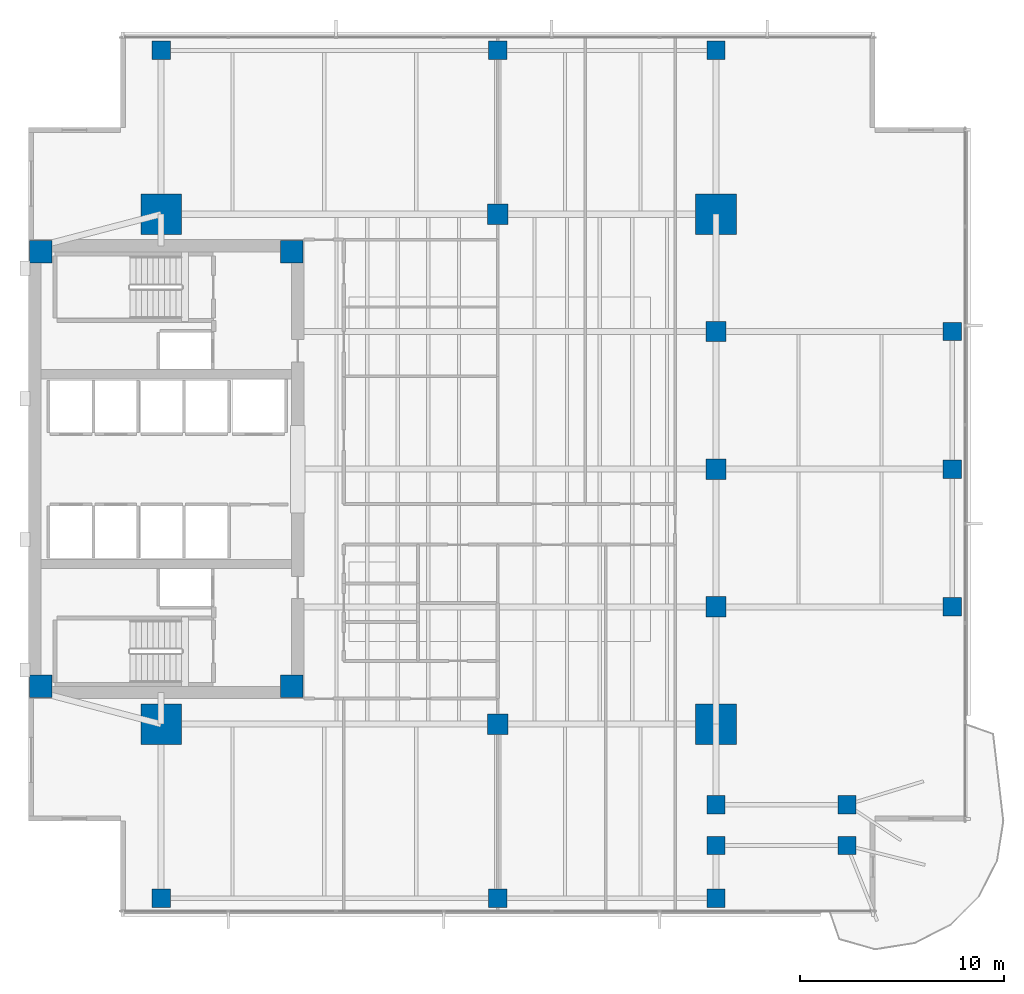
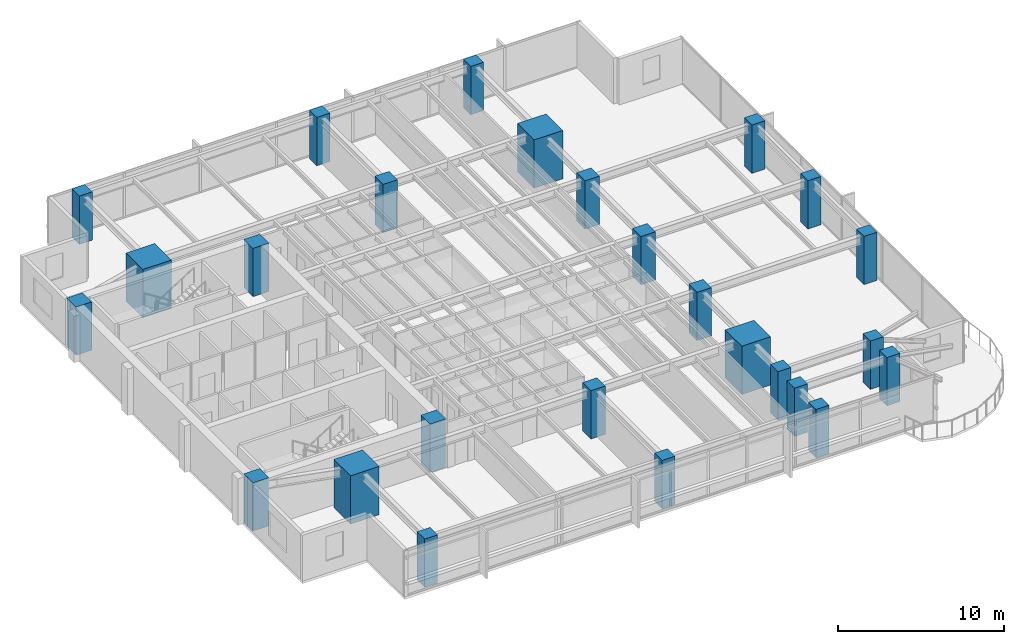
# One storey, part 1 of 14: 26 columns.
"""IFC4 building model written with IfcOpenShell, lengths in metres."""

from ifc_helpers import new_model, si_unit, direction, frame, origin, origin_2d, place, context, subcontext, project, spatial, rectangle, extrude, material, material_profile, profile_set, type_object, element, save


model = new_model("IFC4")

# Units and contexts
model_context = context("Model", 3, precision=1e-05, world=origin(), true_north=direction((0.0, 1.0)))
body_context = subcontext(model_context, "Body", "Model", "MODEL_VIEW")
ifc_project = project(units=[si_unit("LENGTHUNIT", "METRE"), si_unit("AREAUNIT", "SQUARE_METRE"), si_unit("VOLUMEUNIT", "CUBIC_METRE"), si_unit("PLANEANGLEUNIT", "RADIAN"), si_unit("MASSUNIT", "GRAM", prefix="KILO")], contexts=[model_context])

# Site, building, storey
site_placement = place(None, origin())
site = spatial("IfcSite", under=ifc_project, at=site_placement, CompositionType="ELEMENT")
building_placement = place(site_placement, origin())
building = spatial("IfcBuilding", under=site, at=building_placement, Name="Kinhvarn Gate Tower", CompositionType="ELEMENT")
storey_placement = place(building_placement, frame((0.0, 0.0, 130.64990234375)))
storey = spatial("IfcBuildingStorey", under=building, at=storey_placement, Name="L34", CompositionType="ELEMENT", Elevation=130.64990234375)

# Columns
ifc_material = material(Name="Concrete C60/75", Category="concrete")
ifc_material_profile_1 = material_profile(ifc_material, rectangle(XDim=2.0, YDim=2.0, at=origin_2d()), Name="RC 2000x2000")
ifc_profile_set_1 = profile_set([ifc_material_profile_1], Name="Concrete C60/75")
column_type_1 = type_object("IfcColumnType", Name="COL-MC-2000", PredefinedType="COLUMN", material=ifc_profile_set_1)
for number, where, z_axis, x_axis, name in (
    (1, (11.0, 12.75, 0.0), (0.0, 0.0, 1.0), (1.0, 0.0, 0.0), "Column MC1-L34 (MC-20)"),
    (2, (11.0, 37.75, 0.0), (0.0, 0.0, 1.0), (1.0, 0.0, 0.0), "Column MC4-L34 (MC-20)"),
    (3, (38.199951171875, 12.75, 0.0), (0.0, 0.0, 1.0), (1.0, 0.0, 0.0), "Column MC2-L34 (MC-20)"),
    (4, (38.199951171875, 37.75, 0.0), (0.0, 0.0, 1.0), (1.0, 0.0, 0.0), "Column MC3-L34 (MC-20)"),
):
    element("IfcColumn", number, at=place(storey_placement, frame(where, z_axis=z_axis, x_axis=x_axis)), inside=storey, type_object=column_type_1, Name=name, PredefinedType="COLUMN", context=body_context, shape_type="SweptSolid", body=[
        extrude(rectangle(XDim=2.0, YDim=2.0, at=origin_2d()), origin(), (0.0, 0.0, 1.0), 3.550048828125),
    ])
ifc_material_profile_2 = material_profile(ifc_material, rectangle(XDim=1.0, YDim=1.0, at=origin_2d()), Name="RC 1000x1000")
ifc_profile_set_2 = profile_set([ifc_material_profile_2], Name="Concrete C60/75")
column_type_2 = type_object("IfcColumnType", Name="COL-RC-1000", PredefinedType="COLUMN", material=ifc_profile_set_2)
for number, where, z_axis, x_axis, name in (
    (5, (27.5, 12.75, 0.0), (0.0, 0.0, 1.0), (1.0, 0.0, 0.0), "Column SP27-S-L34 (C-100)"),
    (6, (27.5, 37.75, 0.0), (0.0, 0.0, 1.0), (1.0, 0.0, 0.0), "Column SP27-N-L34 (C-100)"),
    (7, (38.199951171875, 18.5, 0.0), (0.0, 0.0, 1.0), (1.0, 0.0, 0.0), "Column SP38-E1-L34 (C-100)"),
    (8, (38.199951171875, 25.25, 0.0), (0.0, 0.0, 1.0), (1.0, 0.0, 0.0), "Column SP38-E2-L34 (C-100)"),
    (9, (38.199951171875, 32.0, 0.0), (0.0, 0.0, 1.0), (1.0, 0.0, 0.0), "Column SP38-E3-L34 (C-100)"),
):
    element("IfcColumn", number, at=place(storey_placement, frame(where, z_axis=z_axis, x_axis=x_axis)), inside=storey, type_object=column_type_2, Name=name, PredefinedType="COLUMN", context=body_context, shape_type="SweptSolid", body=[
        extrude(rectangle(XDim=1.0, YDim=1.0, at=origin_2d()), origin(), (0.0, 0.0, 1.0), 3.550048828125),
    ])
ifc_material_profile_3 = material_profile(ifc_material, rectangle(XDim=0.89990234375, YDim=0.89990234375, at=origin_2d()), Name="RC 900x900")
ifc_profile_set_3 = profile_set([ifc_material_profile_3], Name="Concrete C60/75")
column_type_3 = type_object("IfcColumnType", Name="COL-RC-900", PredefinedType="COLUMN", material=ifc_profile_set_3)
for number, where, z_axis, x_axis, name in (
    (10, (38.199951171875, 6.800048828125, 0.0), (0.0, 0.0, 1.0), (1.0, 0.0, 0.0), "Column CS-ANC68-L34 (C-090)"),
    (11, (38.199951171875, 8.800048828125, 0.0), (0.0, 0.0, 1.0), (1.0, 0.0, 0.0), "Column CS-ANC88-L34 (C-090)"),
    (12, (44.6201171875, 6.800048828125, 0.0), (0.0, 0.0, 1.0), (1.0, 0.0, 0.0), "Column CS-SE2-L34 (C-090)"),
    (13, (44.6201171875, 8.800048828125, 0.0), (0.0, 0.0, 1.0), (1.0, 0.0, 0.0), "Column CS-SE2B-L34 (C-090)"),
    (14, (49.780029296875, 18.5, 0.0), (0.0, 0.0, 1.0), (1.0, 0.0, 0.0), "Column CE-1-L34 (C-090)"),
    (15, (49.780029296875, 25.25, 0.0), (0.0, 0.0, 1.0), (1.0, 0.0, 0.0), "Column CE-2-L34 (C-090)"),
    (16, (49.780029296875, 32.0, 0.0), (0.0, 0.0, 1.0), (1.0, 0.0, 0.0), "Column CE-3-L34 (C-090)"),
    (17, (11.0, 4.219970703125, 0.0), (0.0, 0.0, 1.0), (1.0, 0.0, 0.0), "Column CS-0-L34 (C-090)"),
    (18, (27.5, 4.219970703125, 0.0), (0.0, 0.0, 1.0), (1.0, 0.0, 0.0), "Column CS-1-L34 (C-090)"),
    (19, (38.199951171875, 4.219970703125, 0.0), (0.0, 0.0, 1.0), (1.0, 0.0, 0.0), "Column CS-2-L34 (C-090)"),
    (20, (11.0, 45.780029296875, 0.0), (0.0, 0.0, 1.0), (1.0, 0.0, 0.0), "Column CN-0-L34 (C-090)"),
    (21, (27.5, 45.780029296875, 0.0), (0.0, 0.0, 1.0), (1.0, 0.0, 0.0), "Column CN-1-L34 (C-090)"),
    (22, (38.199951171875, 45.780029296875, 0.0), (0.0, 0.0, 1.0), (1.0, 0.0, 0.0), "Column CN-2-L34 (C-090)"),
):
    element("IfcColumn", number, at=place(storey_placement, frame(where, z_axis=z_axis, x_axis=x_axis)), inside=storey, type_object=column_type_3, Name=name, PredefinedType="COLUMN", context=body_context, shape_type="SweptSolid", body=[
        extrude(rectangle(XDim=0.89990234375, YDim=0.89990234375, at=origin_2d()), origin(), (0.0, 0.0, 1.0), 3.550048828125),
    ])
ifc_material_profile_4 = material_profile(ifc_material, rectangle(XDim=1.10009765625, YDim=1.10009765625, at=origin_2d()), Name="RC 1100x1100")
ifc_profile_set_4 = profile_set([ifc_material_profile_4], Name="Concrete C60/75")
column_type_4 = type_object("IfcColumnType", Name="PIL-RC-1100", PredefinedType="PILASTER", material=ifc_profile_set_4)
for number, where, z_axis, x_axis, name in (
    (23, (5.10009765625, 14.60009765625, 0.0), (0.0, 0.0, 1.0), (1.0, 0.0, 0.0), "Column CC-SW-L34 (CP-110)"),
    (24, (5.10009765625, 35.89990234375, 0.0), (0.0, 0.0, 1.0), (1.0, 0.0, 0.0), "Column CC-NW-L34 (CP-110)"),
    (25, (17.39990234375, 14.60009765625, 0.0), (0.0, 0.0, 1.0), (1.0, 0.0, 0.0), "Column CC-SE-L34 (CP-110)"),
    (26, (17.39990234375, 35.89990234375, 0.0), (0.0, 0.0, 1.0), (1.0, 0.0, 0.0), "Column CC-NE-L34 (CP-110)"),
):
    element("IfcColumn", number, at=place(storey_placement, frame(where, z_axis=z_axis, x_axis=x_axis)), inside=storey, type_object=column_type_4, Name=name, PredefinedType="PILASTER", context=body_context, shape_type="SweptSolid", body=[
        extrude(rectangle(XDim=1.10009765625, YDim=1.10009765625, at=origin_2d()), origin(), (0.0, 0.0, 1.0), 3.550048828125),
    ])

save(model, "model.ifc")
